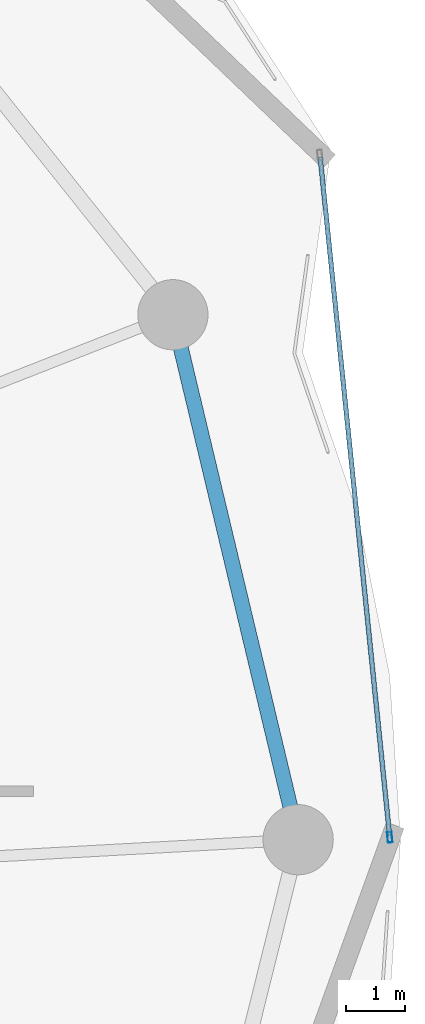
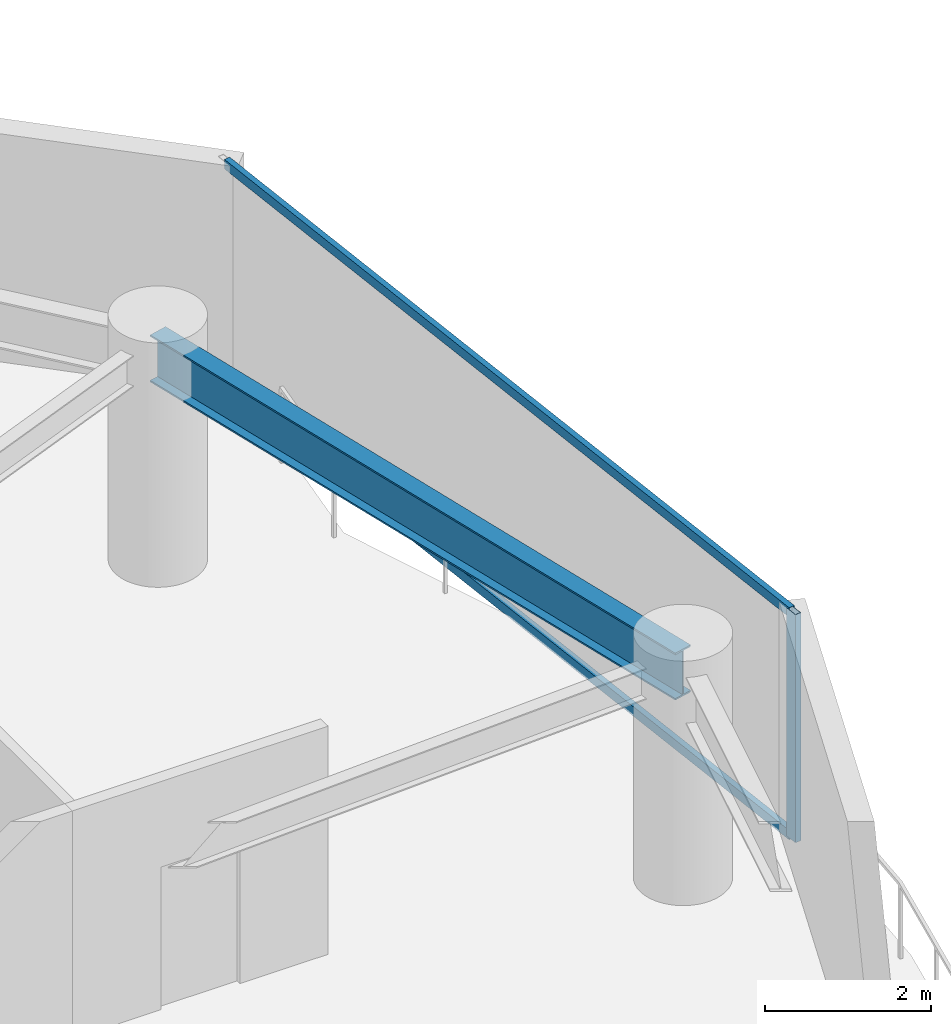
# One storey, part 15 of 30: 3 members, 1 beam, 1 element without a shape of its own.
"""IFC4 building model written with IfcOpenShell, lengths in metres."""

import ifcopenshell
import ifcopenshell.guid

model = None  # the IFC model being written
_history = None  # IfcOwnerHistory: only IFC2X3 demands one
_inside = {}  # id of a spatial element -> (the spatial element, [elements in it])
_under = {}  # id of a project, library or spatial element -> (it, [spatial elements below it])
_declared = {}  # id of a project -> (the project, [libraries it declares])
_typed = {}  # id of a type object -> (the type object, [elements of that type])
_made_of = {}  # id of a material, layer set ... -> (it, [elements and type objects made of it])


def new_model(schema):
    """Start an empty IFC model of exactly this schema.

    Asked for "IFC4X3", IfcOpenShell would pick the latest addendum, in which some entities
    have other attributes; the version numbers below select the first issue.
    IFC2X3 requires an IfcOwnerHistory on every rooted entity: one is made here for all.
    """
    global model, _history
    if schema == "IFC4X3":
        model = ifcopenshell.file(schema_version=(4, 3, 0, 0))
    else:
        model = ifcopenshell.file(schema=schema)
    _inside.clear()
    _under.clear()
    _declared.clear()
    _typed.clear()
    _made_of.clear()
    _history = None
    if model.schema == "IFC2X3":
        org = make("IfcOrganization", Name="unknown")
        user = make(
            "IfcPersonAndOrganization",
            ThePerson=make("IfcPerson", FamilyName="unknown"),
            TheOrganization=org,
        )
        app = make(
            "IfcApplication",
            ApplicationDeveloper=org,
            Version="unknown",
            ApplicationFullName="unknown",
            ApplicationIdentifier="unknown",
        )
        _history = make(
            "IfcOwnerHistory",
            OwningUser=user,
            OwningApplication=app,
            ChangeAction="ADDED",
            CreationDate=0,
        )
    return model


def make(cls, **values):
    """One entity of the class cls with the attributes given. An attribute that is None is left unset."""
    return model.create_entity(
        cls, **{name: value for name, value in values.items() if value is not None}
    )


def rooted(cls, **values):
    """An entity with a GlobalId (a new one), such as an element, a storey or a relation."""
    return make(cls, GlobalId=ifcopenshell.guid.new(), OwnerHistory=_history, **values)


def si_unit(unit_type, name, prefix=None):
    """IfcSIUnit, for example si_unit("LENGTHUNIT", "METRE", prefix="MILLI")."""
    return make("IfcSIUnit", UnitType=unit_type, Prefix=prefix, Name=name)


def assignment(units):
    """IfcUnitAssignment: the units of a project."""
    return None if units is None else make("IfcUnitAssignment", Units=units)


def point(xyz):
    """IfcCartesianPoint."""
    return None if xyz is None else make("IfcCartesianPoint", Coordinates=xyz)


def direction(xyz):
    """IfcDirection."""
    return None if xyz is None else make("IfcDirection", DirectionRatios=xyz)


def frame(location, z_axis=None, x_axis=None):
    """IfcAxis2Placement3D, a coordinate frame: its origin and axes. An axis left out is left unset."""
    return make(
        "IfcAxis2Placement3D",
        Location=point(location),
        Axis=direction(z_axis),
        RefDirection=direction(x_axis),
    )


def frame_2d(location, x_axis=None):
    """IfcAxis2Placement2D, a coordinate frame in the plane: its origin and x axis."""
    return make(
        "IfcAxis2Placement2D", Location=point(location), RefDirection=direction(x_axis)
    )


def origin():
    """The frame at (0, 0, 0) with its axes left unset."""
    return frame((0.0, 0.0, 0.0))


def origin_2d():
    """The frame at (0, 0) in the plane with its x axis left unset."""
    return frame_2d((0.0, 0.0))


def place(relative_to, where):
    """IfcLocalPlacement: puts the frame where relative to a parent placement (None: the world)."""
    return make(
        "IfcLocalPlacement", PlacementRelTo=relative_to, RelativePlacement=where
    )


def context(
    kind, dimensions, precision=None, world=None, true_north=None, identifier=None
):
    """IfcGeometricRepresentationContext, for example the 3D "Model" context."""
    return make(
        "IfcGeometricRepresentationContext",
        ContextIdentifier=identifier,
        ContextType=kind,
        CoordinateSpaceDimension=dimensions,
        Precision=precision,
        WorldCoordinateSystem=world,
        TrueNorth=true_north,
    )


def subcontext(parent, identifier, kind, view, scale=None):
    """IfcGeometricRepresentationSubContext, for example "Body" below "Model"."""
    return make(
        "IfcGeometricRepresentationSubContext",
        ContextIdentifier=identifier,
        ContextType=kind,
        ParentContext=parent,
        TargetScale=scale,
        TargetView=view,
    )


def project(units=None, contexts=None):
    """IfcProject with its units and contexts."""
    return rooted(
        "IfcProject",
        Name="project",
        RepresentationContexts=contexts,
        UnitsInContext=assignment(units),
    )


def spatial(cls, under=None, at=None, **own):
    """A site, building, storey or space (cls), placed at a placement, below another one or the project."""
    s = rooted(cls, ObjectPlacement=at, **own)
    if under is not None:
        _under.setdefault(under.id(), (under, []))[1].append(s)
    return s


def profile(cls, at=None, kind="AREA", **sizes):
    """A parametric profile (cls). Its sizes go by their IFC names, for example OverallWidth=200.0."""
    return make(cls, ProfileType=kind, Position=at, **sizes)


def hollow_rectangle(**sizes):
    """IfcRectangleHollowProfileDef."""
    return profile("IfcRectangleHollowProfileDef", **sizes)


def i_section(**sizes):
    """IfcIShapeProfileDef."""
    return profile("IfcIShapeProfileDef", **sizes)


def extrude(swept, where, along, depth):
    """IfcExtrudedAreaSolid: the profile swept, set in the frame where, extruded along a direction by depth."""
    return make(
        "IfcExtrudedAreaSolid",
        SweptArea=swept,
        Position=where,
        ExtrudedDirection=direction(along),
        Depth=depth,
    )


def shape(context_of_items, identifier, shape_type, items):
    """IfcShapeRepresentation: the items that make up one representation, for example the "Body"."""
    return make(
        "IfcShapeRepresentation",
        ContextOfItems=context_of_items,
        RepresentationIdentifier=identifier,
        RepresentationType=shape_type,
        Items=items,
    )


def material(Name=None, Category=None):
    """IfcMaterial."""
    return make("IfcMaterial", Name=Name, Category=Category)


def layer(
    of_material, thickness, ventilated=None, Name=None, Category=None, Priority=None
):
    """IfcMaterialLayer: one layer of a wall or slab, of a material (None: an air gap)."""
    return make(
        "IfcMaterialLayer",
        Material=of_material,
        LayerThickness=thickness,
        IsVentilated=ventilated,
        Name=Name,
        Category=Category,
        Priority=Priority,
    )


def layer_set(layers, Name=None):
    """IfcMaterialLayerSet."""
    return make("IfcMaterialLayerSet", MaterialLayers=layers, LayerSetName=Name)


def material_profile(
    of_material, cross_section, Name=None, Category=None, Priority=None
):
    """IfcMaterialProfile: a cross section and its material."""
    return make(
        "IfcMaterialProfile",
        Name=Name,
        Material=of_material,
        Profile=cross_section,
        Priority=Priority,
        Category=Category,
    )


def profile_set(profiles, Name=None, composite=None):
    """IfcMaterialProfileSet."""
    return make(
        "IfcMaterialProfileSet",
        Name=Name,
        MaterialProfiles=profiles,
        CompositeProfile=composite,
    )


def made_of(thing, what):
    """Note that an element or type object is made of a material, layer set ...; save() writes the relation."""
    if what is not None:
        _made_of.setdefault(what.id(), (what, []))[1].append(thing)
    return thing


def type_object(cls, material=None, **own):
    """A type object (cls), such as IfcWallType, which elements share."""
    return made_of(rooted(cls, **own), material)


def element(
    cls,
    number,
    at=None,
    inside=None,
    cuts=None,
    type_object=None,
    material=None,
    context=None,
    identifier="Body",
    shape_type=None,
    held_by="IfcProductDefinitionShape",
    body=None,
    shapes=None,
    **own,
):
    """One element of the class cls, such as IfcWall. Its Tag is "e" and its number.

    at: its placement. inside: the storey or other place that contains it. cuts: it is an
    opening in that element (IfcRelVoidsElement). A single representation is given by context,
    identifier, shape_type and body (its items); several are given by shapes. held_by: the class
    of the entity that holds the representations. save() writes the other relations.
    """
    e = rooted(cls, Tag="e%d" % number, ObjectPlacement=at, **own)
    if body is not None:
        shapes = [shape(context, identifier, shape_type, body)]
    if shapes is not None:
        e.Representation = make(held_by, Representations=shapes)
    if inside is not None:
        _inside.setdefault(inside.id(), (inside, []))[1].append(e)
    if cuts is not None:
        rooted(
            "IfcRelVoidsElement", RelatingBuildingElement=cuts, RelatedOpeningElement=e
        )
    if type_object is not None:
        _typed.setdefault(type_object.id(), (type_object, []))[1].append(e)
    return made_of(e, material)


def aggregate(whole, parts):
    """IfcRelAggregates: a whole, such as a stair, and the parts it consists of."""
    return rooted("IfcRelAggregates", RelatingObject=whole, RelatedObjects=parts)


def save(model, path):
    """Write the relations noted so far, then the file.

    IfcRelAggregates (storeys below a building ...), IfcRelContainedInSpatialStructure (elements
    in a storey), IfcRelDefinesByType, IfcRelAssociatesMaterial and IfcRelDeclares: one each for
    every whole, place, type object, material and project.
    """
    for whole, parts in _under.values():
        aggregate(whole, parts)
    for where, things in _inside.values():
        rooted(
            "IfcRelContainedInSpatialStructure",
            RelatedElements=things,
            RelatingStructure=where,
        )
    for kind, things in _typed.values():
        rooted("IfcRelDefinesByType", RelatedObjects=things, RelatingType=kind)
    for what, things in _made_of.values():
        rooted("IfcRelAssociatesMaterial", RelatedObjects=things, RelatingMaterial=what)
    for by, libraries in _declared.values():
        rooted("IfcRelDeclares", RelatingContext=by, RelatedDefinitions=libraries)
    model.write(path)


model = new_model("IFC4")

# Units and contexts
model_context = context("Model", 3, precision=1e-05, world=origin(), true_north=direction((0.0, 1.0)))
body_context = subcontext(model_context, "Body", "Model", "MODEL_VIEW")
ifc_project = project(units=[si_unit("LENGTHUNIT", "METRE"), si_unit("AREAUNIT", "SQUARE_METRE"), si_unit("VOLUMEUNIT", "CUBIC_METRE"), si_unit("PLANEANGLEUNIT", "RADIAN"), si_unit("MASSUNIT", "GRAM", prefix="KILO")], contexts=[model_context])

# Site, building, storey
site_placement = place(None, origin())
site = spatial("IfcSite", under=ifc_project, at=site_placement, CompositionType="ELEMENT")
building_placement = place(site_placement, origin())
building = spatial("IfcBuilding", under=site, at=building_placement, Name="Kazevale Care Tower and Concert Hall", CompositionType="ELEMENT")
storey_placement = place(building_placement, frame((0.0, 0.0, 113.39990234375)))
storey = spatial("IfcBuildingStorey", under=building, at=storey_placement, Name="L29", CompositionType="ELEMENT", Elevation=113.39990234375)

# Curtain wall, members
ifc_material_1 = material(Name="Aluminium 6063-T6 and Low-E Glass", Category="aluminium")
ifc_layer = layer(ifc_material_1, 0.179931640625)
ifc_layer_set = layer_set([ifc_layer], Name="Aluminium 6063-T6 and Low-E Glass")
curtain_wall_type = type_object("IfcCurtainWallType", Name="Waist & Upper Residential Curtain Wall CW-4", PredefinedType="NOTDEFINED", material=ifc_layer_set)
curtain_wall_placement = place(storey_placement, origin())
curtain_wall = element("IfcCurtainWall", 1, at=curtain_wall_placement, inside=storey, type_object=curtain_wall_type, Name="cw:L29:f18", PredefinedType="NOTDEFINED")
ifc_material_2 = material(Name="Aluminium 6063-T6", Category="aluminium")
ifc_material_profile_1 = material_profile(ifc_material_2, hollow_rectangle(XDim=0.080078125, YDim=0.179931640625, WallThickness=0.0048828125, at=origin_2d()), Name="ALU80x180x5")
ifc_profile_set_1 = profile_set([ifc_material_profile_1], Name="Aluminium 6063-T6")
member_type_1 = type_object("IfcMemberType", Name="CW-4 Mullion ALU80x180x5", PredefinedType="MULLION", material=ifc_profile_set_1)
member_1_placement = place(storey_placement, frame((74.615966796875, 38.039794921875, 0.0), z_axis=(0.0, 0.0, 1.0), x_axis=(0.994797747326, 0.101869730126, 0.0)))
member_1 = element("IfcMember", 2, at=member_1_placement, type_object=member_type_1, Name="CW-4 mullion 2", PredefinedType="MULLION", context=body_context, shape_type="SweptSolid", body=[
    extrude(hollow_rectangle(XDim=0.080078125, YDim=0.179931640625, WallThickness=0.0048828125, at=origin_2d()), origin(), (0.0, 0.0, 1.0), 3.360107421875),
])
ifc_material_profile_2 = material_profile(ifc_material_2, hollow_rectangle(XDim=0.080078125, YDim=0.139892578125, WallThickness=0.00390625, at=origin_2d()), Name="ALU80x140x4")
ifc_profile_set_2 = profile_set([ifc_material_profile_2], Name="Aluminium 6063-T6")
member_type_2 = type_object("IfcMemberType", Name="CW-4 Transom ALU80x140x4", PredefinedType="USERDEFINED", material=ifc_profile_set_2)
member_2_placement = place(storey_placement, frame((73.42626953125, 49.658447265625, 0.0400390625), z_axis=(0.101856421, -0.994799110123, 0.0), x_axis=(0.994799110123, 0.101856421, 0.0)))
member_2 = element("IfcMember", 3, at=member_2_placement, type_object=member_type_2, Name="CW-4 transom 1.1", ObjectType="TRANSOM", PredefinedType="USERDEFINED", context=body_context, shape_type="SweptSolid", body=[
    extrude(hollow_rectangle(XDim=0.080078125, YDim=0.139892578125, WallThickness=0.00390625, at=origin_2d()), origin(), (0.0, 0.0, 1.0), 11.639404296875),
])
member_3_placement = place(storey_placement, frame((73.42626953125, 49.658447265625, 3.320068359375), z_axis=(0.101856421, -0.994799110123, 0.0), x_axis=(0.994799110123, 0.101856421, 0.0)))
member_3 = element("IfcMember", 4, at=member_3_placement, type_object=member_type_2, Name="CW-4 transom 1.2", ObjectType="TRANSOM", PredefinedType="USERDEFINED", context=body_context, shape_type="SweptSolid", body=[
    extrude(hollow_rectangle(XDim=0.080078125, YDim=0.139892578125, WallThickness=0.00390625, at=origin_2d()), origin(), (0.0, 0.0, 1.0), 11.639404296875),
])
aggregate(curtain_wall, [member_1, member_2, member_3])

# Beam
ifc_material_3 = material(Name="Steel ASTM A572 Gr 50", Category="steel")
ifc_material_profile_3 = material_profile(ifc_material_3, i_section(OverallWidth=0.256103515625, OverallDepth=0.693115234375, WebThickness=0.014404296875, FlangeThickness=0.023681640625, at=origin_2d()), Name="W690x170")
ifc_profile_set_3 = profile_set([ifc_material_profile_3], Name="Steel ASTM A572 Gr 50")
beam_type = type_object("IfcBeamType", Name="Waist Ring Beam W690x170", PredefinedType="BEAM", material=ifc_profile_set_3)
beam_placement = place(storey_placement, frame((73.050048828125, 38.0, 3.013671875), z_axis=(-0.232075055882, 0.972697881378, 0.0), x_axis=(-0.972697881378, -0.232075055882, 0.0)))
element("IfcBeam", 5, at=beam_placement, inside=storey, type_object=beam_type, Name="beam:L29:ring:01", PredefinedType="BEAM", context=body_context, shape_type="SweptSolid", body=[
    extrude(i_section(OverallWidth=0.256103515625, OverallDepth=0.693115234375, WebThickness=0.014404296875, FlangeThickness=0.023681640625, at=origin_2d()), origin(), (0.0, 0.0, 1.0), 9.2216796875),
])

save(model, "model.ifc")
